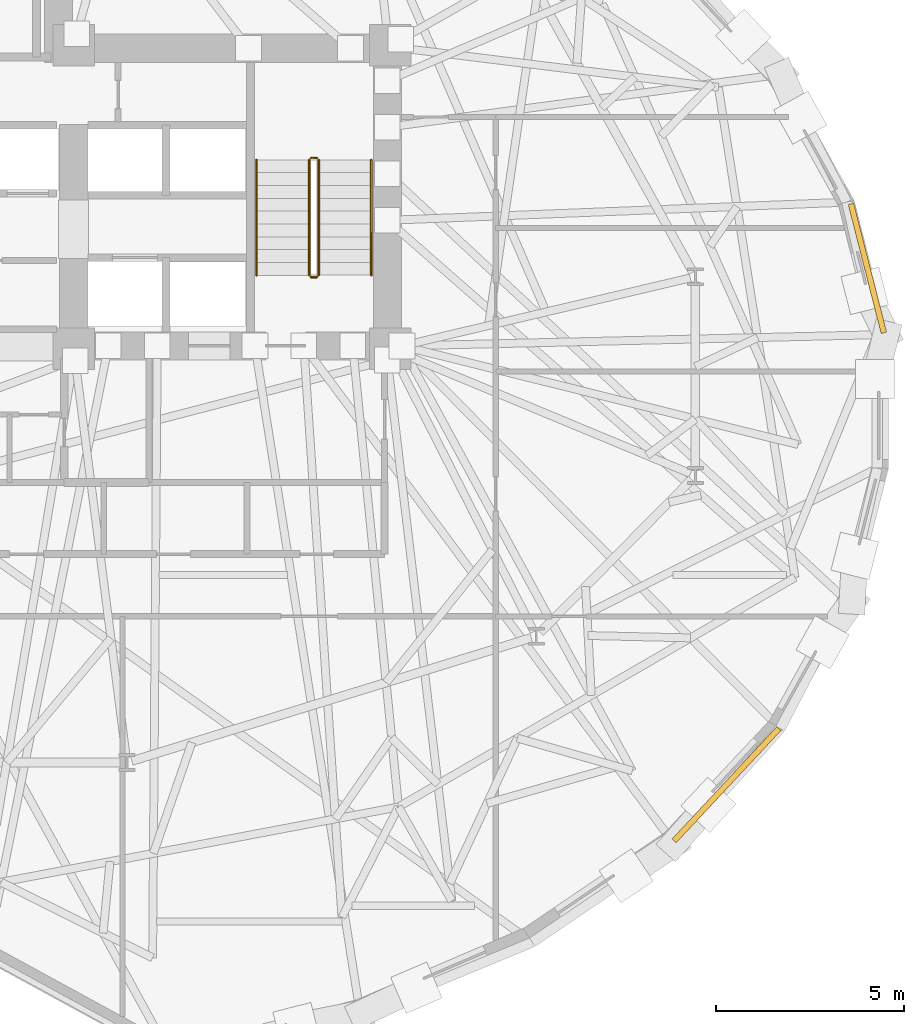
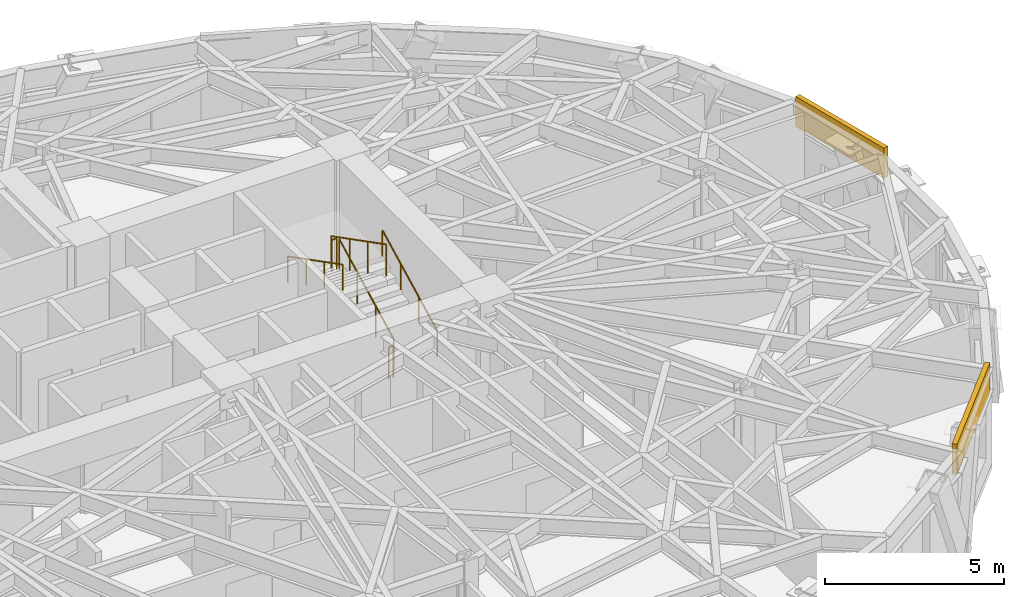
# One storey, part 14 of 15: 6 railings, 2 coverings.
"""IFC4 building model written with IfcOpenShell, lengths in metres."""

from ifc_helpers import new_model, si_unit, direction, frame, origin, origin_2d, place, context, subcontext, project, spatial, rectangle, circle, extrude, material, layer, layer_set, type_object, element, save


model = new_model("IFC4")

# Units and contexts
model_context = context("Model", 3, precision=1e-05, world=origin(), true_north=direction((0.0, 1.0)))
body_context = subcontext(model_context, "Body", "Model", "MODEL_VIEW")
ifc_project = project(units=[si_unit("LENGTHUNIT", "METRE"), si_unit("AREAUNIT", "SQUARE_METRE"), si_unit("VOLUMEUNIT", "CUBIC_METRE"), si_unit("PLANEANGLEUNIT", "RADIAN"), si_unit("MASSUNIT", "GRAM", prefix="KILO")], contexts=[model_context])

# Site, building, storey
site_placement = place(None, origin())
site = spatial("IfcSite", under=ifc_project, at=site_placement, CompositionType="ELEMENT")
building_placement = place(site_placement, origin())
building = spatial("IfcBuilding", under=site, at=building_placement, Name="Keldmark Tower", CompositionType="ELEMENT")
storey_placement = place(building_placement, frame((0.0, 0.0, 114.10009765625)))
storey = spatial("IfcBuildingStorey", under=building, at=storey_placement, Name="L30", CompositionType="ELEMENT", Elevation=114.10009765625)

# Coverings
ifc_material_1 = material(Name="Honed Kasota Buff Dolomitic Limestone", Category="masonry")
ifc_layer = layer(ifc_material_1, 0.074951171875)
ifc_layer_set = layer_set([ifc_layer], Name="Honed Kasota Buff Dolomitic Limestone")
covering_type = type_object("IfcCoveringType", Name="Kasota Buff Limestone Spandrel Cladding Band", PredefinedType="CLADDING", material=ifc_layer_set)
covering_1_placement = place(storey_placement, frame((26.262451171875, 3.533203125, 2.45166015625), z_axis=(0.0, 0.0, 1.0), x_axis=(-0.24716813411, 0.968972607188, 0.0)))
element("IfcCovering", 1, at=covering_1_placement, inside=storey, type_object=covering_type, Name="L30 Kasota Limestone Spandrel Band 01", PredefinedType="CLADDING", context=body_context, shape_type="SweptSolid", body=[
    extrude(rectangle(XDim=3.532470703125, YDim=0.14990234375, at=origin_2d()), origin(), (0.0, 0.0, 1.0), 1.028076171875),
])
covering_2_placement = place(storey_placement, frame((22.5234375, -10.169677734375, 2.45166015625), z_axis=(0.0, 0.0, 1.0), x_axis=(0.682368444061, 0.731008417564, 0.0)))
element("IfcCovering", 2, at=covering_2_placement, inside=storey, type_object=covering_type, Name="L30 Kasota Limestone Spandrel Band 29", PredefinedType="CLADDING", context=body_context, shape_type="SweptSolid", body=[
    extrude(rectangle(XDim=4.07861328125, YDim=0.14990234375, at=origin_2d()), origin(), (0.0, 0.0, 1.0), 1.028076171875),
])

# Railings
ifc_material_2 = material(Name="Painted Steel ASTM A500 Grade B", Category="steel")
railing_type_1 = type_object("IfcRailingType", Name="Painted Steel Stair Well Guard 1100 mm", PredefinedType="GUARDRAIL", material=ifc_material_2)
railing_1_placement = place(storey_placement, frame((11.699951171875, 3.35009765625, 0.1748046875)))
element("IfcRailing", 3, at=railing_1_placement, inside=storey, type_object=railing_type_1, Name="L30 ST2 stair guard 1", PredefinedType="GUARDRAIL", context=body_context, shape_type="SweptSolid", body=[
    extrude(circle(Radius=0.02392578125, at=origin_2d()), frame((0.0, 0.0, 1.076171875), z_axis=(0.0, 0.889101422983, 0.457710235465), x_axis=(-1.0, 0.0, 0.0)), (0.0, 0.0, 1.0), 3.44140625),
    extrude(circle(Radius=0.02099609375, at=origin_2d()), origin(), (0.0, 0.0, 1.0), 1.052001953125),
    extrude(circle(Radius=0.02099609375, at=origin_2d()), frame((0.0, 1.02001953125, 0.525146484375)), (0.0, 0.0, 1.0), 1.052001953125),
    extrude(circle(Radius=0.02099609375, at=origin_2d()), frame((0.0, 2.039794921875, 1.050048828125)), (0.0, 0.0, 1.0), 1.052001953125),
    extrude(circle(Radius=0.02099609375, at=origin_2d()), frame((0.0, 3.059814453125, 1.5751953125)), (0.0, 0.0, 1.0), 1.052001953125),
])
railing_2_placement = place(storey_placement, frame((11.64990234375, 6.4599609375, 1.75)))
element("IfcRailing", 4, at=railing_2_placement, inside=storey, type_object=railing_type_1, Name="L30 ST2 stair guard 2", PredefinedType="GUARDRAIL", context=body_context, shape_type="SweptSolid", body=[
    extrude(circle(Radius=0.02392578125, at=origin_2d()), frame((0.0, 0.0, 1.076171875), z_axis=(-1.0, 0.0, 0.0), x_axis=(0.0, -1.0, 0.0)), (0.0, 0.0, 1.0), 0.14990234375),
    extrude(circle(Radius=0.02099609375, at=origin_2d()), origin(), (0.0, 0.0, 1.0), 1.052001953125),
    extrude(circle(Radius=0.02099609375, at=origin_2d()), frame((-0.14990234375, 0.0, 0.0)), (0.0, 0.0, 1.0), 1.052001953125),
])
railing_3_placement = place(storey_placement, frame((11.449951171875, 6.409912109375, 1.9248046875)))
element("IfcRailing", 5, at=railing_3_placement, inside=storey, type_object=railing_type_1, Name="L30 ST2 stair guard 3", PredefinedType="GUARDRAIL", context=body_context, shape_type="SweptSolid", body=[
    extrude(circle(Radius=0.02392578125, at=origin_2d()), frame((0.0, 0.0, 1.076171875), z_axis=(0.0, -0.889101422983, 0.457710235465), x_axis=(1.0, 0.0, 0.0)), (0.0, 0.0, 1.0), 3.44140625),
    extrude(circle(Radius=0.02099609375, at=origin_2d()), origin(), (0.0, 0.0, 1.0), 1.052001953125),
    extrude(circle(Radius=0.02099609375, at=origin_2d()), frame((0.0, -1.02001953125, 0.525146484375)), (0.0, 0.0, 1.0), 1.052001953125),
    extrude(circle(Radius=0.02099609375, at=origin_2d()), frame((0.0, -2.039794921875, 1.050048828125)), (0.0, 0.0, 1.0), 1.052001953125),
    extrude(circle(Radius=0.02099609375, at=origin_2d()), frame((0.0, -3.059814453125, 1.5751953125)), (0.0, 0.0, 1.0), 1.052001953125),
])
railing_4_placement = place(storey_placement, frame((11.64990234375, 3.300048828125, 0.0)))
element("IfcRailing", 6, at=railing_4_placement, inside=storey, type_object=railing_type_1, Name="L30 ST2 stair guard 4", PredefinedType="GUARDRAIL", context=body_context, shape_type="SweptSolid", body=[
    extrude(circle(Radius=0.02392578125, at=origin_2d()), frame((0.0, 0.0, 1.076171875), z_axis=(-1.0, 0.0, 0.0), x_axis=(0.0, -1.0, 0.0)), (0.0, 0.0, 1.0), 0.14990234375),
    extrude(circle(Radius=0.02099609375, at=origin_2d()), origin(), (0.0, 0.0, 1.0), 1.052001953125),
    extrude(circle(Radius=0.02099609375, at=origin_2d()), frame((-0.14990234375, 0.0, 0.0)), (0.0, 0.0, 1.0), 1.052001953125),
])
ifc_material_3 = material(Name="Stainless Steel AISI 316L", Category="steel")
railing_type_2 = type_object("IfcRailingType", Name="Stainless Steel Stair Handrail 900 mm", PredefinedType="HANDRAIL", material=ifc_material_3)
railing_5_placement = place(storey_placement, frame((13.10009765625, 3.35009765625, 0.1748046875)))
element("IfcRailing", 7, at=railing_5_placement, inside=storey, type_object=railing_type_2, Name="L30 ST2 stair handrail 1", PredefinedType="HANDRAIL", context=body_context, shape_type="SweptSolid", body=[
    extrude(circle(Radius=0.02392578125, at=origin_2d()), frame((0.0, 0.0, 0.8759765625), z_axis=(0.0, 0.889101422983, 0.457710235465), x_axis=(-1.0, 0.0, 0.0)), (0.0, 0.0, 1.0), 3.44140625),
    extrude(circle(Radius=0.02099609375, at=origin_2d()), origin(), (0.0, 0.0, 1.0), 0.851806640625),
    extrude(circle(Radius=0.02099609375, at=origin_2d()), frame((0.0, 1.02001953125, 0.525146484375)), (0.0, 0.0, 1.0), 0.851806640625),
    extrude(circle(Radius=0.02099609375, at=origin_2d()), frame((0.0, 2.039794921875, 1.050048828125)), (0.0, 0.0, 1.0), 0.851806640625),
    extrude(circle(Radius=0.02099609375, at=origin_2d()), frame((0.0, 3.059814453125, 1.5751953125)), (0.0, 0.0, 1.0), 0.851806640625),
])
railing_6_placement = place(storey_placement, frame((10.050048828125, 6.409912109375, 1.9248046875)))
element("IfcRailing", 8, at=railing_6_placement, inside=storey, type_object=railing_type_2, Name="L30 ST2 stair handrail 2", PredefinedType="HANDRAIL", context=body_context, shape_type="SweptSolid", body=[
    extrude(circle(Radius=0.02392578125, at=origin_2d()), frame((0.0, 0.0, 0.8759765625), z_axis=(0.0, -0.889101422983, 0.457710235465), x_axis=(1.0, 0.0, 0.0)), (0.0, 0.0, 1.0), 3.44140625),
    extrude(circle(Radius=0.02099609375, at=origin_2d()), origin(), (0.0, 0.0, 1.0), 0.851806640625),
    extrude(circle(Radius=0.02099609375, at=origin_2d()), frame((0.0, -1.02001953125, 0.525146484375)), (0.0, 0.0, 1.0), 0.851806640625),
    extrude(circle(Radius=0.02099609375, at=origin_2d()), frame((0.0, -2.039794921875, 1.050048828125)), (0.0, 0.0, 1.0), 0.851806640625),
    extrude(circle(Radius=0.02099609375, at=origin_2d()), frame((0.0, -3.059814453125, 1.5751953125)), (0.0, 0.0, 1.0), 0.851806640625),
])

save(model, "model.ifc")
